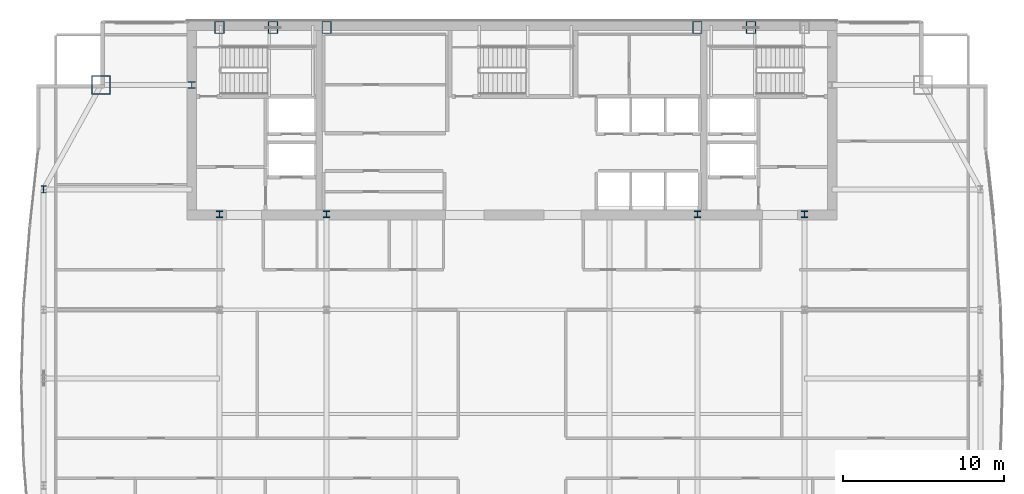
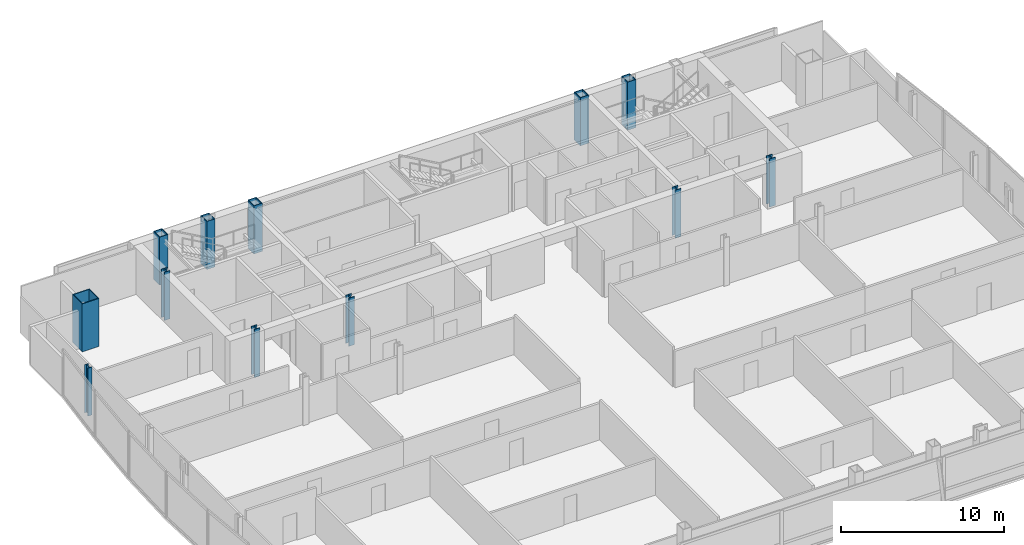
# One storey, part 3 of 32: 12 columns.
"""IFC4 building model written with IfcOpenShell, lengths in metres."""

from ifc_helpers import new_model, si_unit, direction, frame, origin, origin_2d, place, context, subcontext, project, spatial, hollow_rectangle, i_section, extrude, material, material_profile, profile_set, type_object, element, save


model = new_model("IFC4")

# Units and contexts
model_context = context("Model", 3, precision=1e-05, world=origin(), true_north=direction((0.0, 1.0)))
body_context = subcontext(model_context, "Body", "Model", "MODEL_VIEW")
ifc_project = project(units=[si_unit("LENGTHUNIT", "METRE"), si_unit("AREAUNIT", "SQUARE_METRE"), si_unit("VOLUMEUNIT", "CUBIC_METRE"), si_unit("PLANEANGLEUNIT", "RADIAN"), si_unit("MASSUNIT", "GRAM", prefix="KILO")], contexts=[model_context])

# Site, building, storey
site_placement = place(None, origin())
site = spatial("IfcSite", under=ifc_project, at=site_placement, CompositionType="ELEMENT")
building_placement = place(site_placement, origin())
building = spatial("IfcBuilding", under=site, at=building_placement, Name="Khoronbel Lancet Exchange", CompositionType="ELEMENT")
storey_placement = place(building_placement, frame((0.0, 0.0, 195.800048828125)))
storey = spatial("IfcBuildingStorey", under=building, at=storey_placement, Name="L49", CompositionType="ELEMENT", Elevation=195.800048828125)

# Columns
ifc_material_1 = material(Name="Steel S460", Category="steel")
ifc_material_profile_1 = material_profile(ifc_material_1, hollow_rectangle(XDim=0.60009765625, YDim=0.75, WallThickness=0.044921875, at=origin_2d()), Name="BOX 750x600x45")
ifc_profile_set_1 = profile_set([ifc_material_profile_1], Name="Steel S460")
column_type_1 = type_object("IfcColumnType", Name="COL-EC3", PredefinedType="COLUMN", material=ifc_profile_set_1)
for number, where, z_axis, x_axis, name in (
    (1, (18.22509765625, 53.280029296875, 0.0), (0.0, 0.0, 1.0), (1.0, 0.0, 0.0), "Structural column NC-W1 L49"),
    (2, (21.5625, 53.280029296875, 0.0), (0.0, 0.0, 1.0), (1.0, 0.0, 0.0), "Structural column NC-WM L49"),
    (3, (24.89990234375, 53.280029296875, 0.0), (0.0, 0.0, 1.0), (1.0, 0.0, 0.0), "Structural column NC-W2 L49"),
    (4, (48.0, 53.280029296875, 0.0), (0.0, 0.0, 1.0), (1.0, 0.0, 0.0), "Structural column NC-E1 L49"),
    (5, (51.33740234375, 53.280029296875, 0.0), (0.0, 0.0, 1.0), (1.0, 0.0, 0.0), "Structural column NC-EM L49"),
):
    element("IfcColumn", number, at=place(storey_placement, frame(where, z_axis=z_axis, x_axis=x_axis)), inside=storey, type_object=column_type_1, Name=name, PredefinedType="COLUMN", context=body_context, shape_type="SweptSolid", body=[
        extrude(hollow_rectangle(XDim=0.60009765625, YDim=0.75, WallThickness=0.044921875, at=origin_2d()), origin(), (0.0, 0.0, 1.0), 3.599853515625),
    ])
ifc_material_2 = material(Name="Steel S355", Category="steel")
ifc_material_profile_2 = material_profile(ifc_material_2, i_section(OverallWidth=0.406005859375, OverallDepth=0.416015625, WebThickness=0.02978515625, FlangeThickness=0.048095703125, at=origin_2d()), Name="HD 400x382")
ifc_profile_set_2 = profile_set([ifc_material_profile_2], Name="Steel S355")
column_type_2 = type_object("IfcColumnType", Name="COL-IC3", PredefinedType="COLUMN", material=ifc_profile_set_2)
for number, where, z_axis, x_axis, name in (
    (6, (16.5, 49.699951171875, 0.0), (0.0, 0.0, 1.0), (1.0, 0.0, 0.0), "Core-flank plumb transfer column CFW L49"),
    (7, (18.22509765625, 41.64990234375, 0.0), (0.0, 0.0, 1.0), (1.0, 0.0, 0.0), "Core-embedded steel column CTC1 L49"),
    (8, (24.89990234375, 41.64990234375, 0.0), (0.0, 0.0, 1.0), (1.0, 0.0, 0.0), "Core-embedded steel column CTC2 L49"),
    (9, (48.0, 41.64990234375, 0.0), (0.0, 0.0, 1.0), (1.0, 0.0, 0.0), "Core-embedded steel column CTC3 L49"),
    (10, (54.675048828125, 41.64990234375, 0.0), (0.0, 0.0, 1.0), (1.0, 0.0, 0.0), "Core-embedded steel column CTC4 L49"),
):
    element("IfcColumn", number, at=place(storey_placement, frame(where, z_axis=z_axis, x_axis=x_axis)), inside=storey, type_object=column_type_2, Name=name, PredefinedType="COLUMN", context=body_context, shape_type="SweptSolid", body=[
        extrude(i_section(OverallWidth=0.406005859375, OverallDepth=0.416015625, WebThickness=0.02978515625, FlangeThickness=0.048095703125, at=origin_2d()), origin(), (0.0, 0.0, 1.0), 3.599853515625),
    ])
ifc_material_profile_3 = material_profile(ifc_material_2, i_section(OverallWidth=0.300048828125, OverallDepth=0.449951171875, WebThickness=0.013916015625, FlangeThickness=0.02587890625, at=origin_2d()), Name="HEB 450")
ifc_profile_set_3 = profile_set([ifc_material_profile_3], Name="Steel S355")
column_type_3 = type_object("IfcColumnType", Name="COL-LC2", PredefinedType="COLUMN", material=ifc_profile_set_3)
column_1_placement = place(storey_placement, frame((7.27001953125, 43.199951171875, 0.0), z_axis=(0.0, 0.0, 1.0), x_axis=(1.0, 0.0, 0.0)))
element("IfcColumn", 11, at=column_1_placement, inside=storey, type_object=column_type_3, Name="Structural column WC-4 L49", PredefinedType="COLUMN", context=body_context, shape_type="SweptSolid", body=[
    extrude(i_section(OverallWidth=0.300048828125, OverallDepth=0.449951171875, WebThickness=0.013916015625, FlangeThickness=0.02587890625, at=origin_2d()), origin(), (0.0, 0.0, 1.0), 3.599853515625),
])
ifc_material_profile_4 = material_profile(ifc_material_1, hollow_rectangle(XDim=1.199951171875, YDim=1.199951171875, WallThickness=0.06005859375, at=origin_2d()), Name="BOX 1200x1200x60")
ifc_profile_set_4 = profile_set([ifc_material_profile_4], Name="Steel S460")
column_type_4 = type_object("IfcColumnType", Name="COL-MC5", PredefinedType="COLUMN", material=ifc_profile_set_4)
column_2_placement = place(storey_placement, frame((10.85009765625, 49.699951171875, 0.0), z_axis=(0.0, 0.0, 1.0), x_axis=(1.0, 0.0, 0.0)))
element("IfcColumn", 12, at=column_2_placement, inside=storey, type_object=column_type_4, Name="Structural column MC-NW L49", PredefinedType="COLUMN", context=body_context, shape_type="SweptSolid", body=[
    extrude(hollow_rectangle(XDim=1.199951171875, YDim=1.199951171875, WallThickness=0.06005859375, at=origin_2d()), origin(), (0.0, 0.0, 1.0), 3.599853515625),
])

save(model, "model.ifc")
